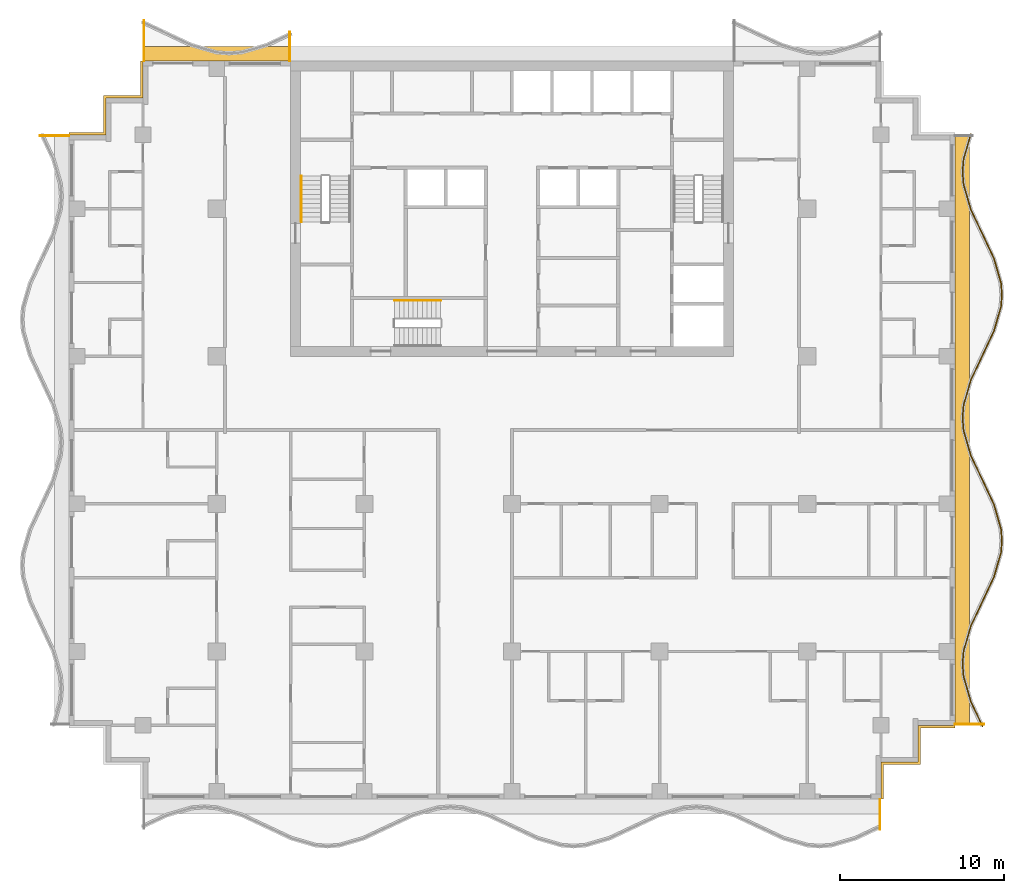
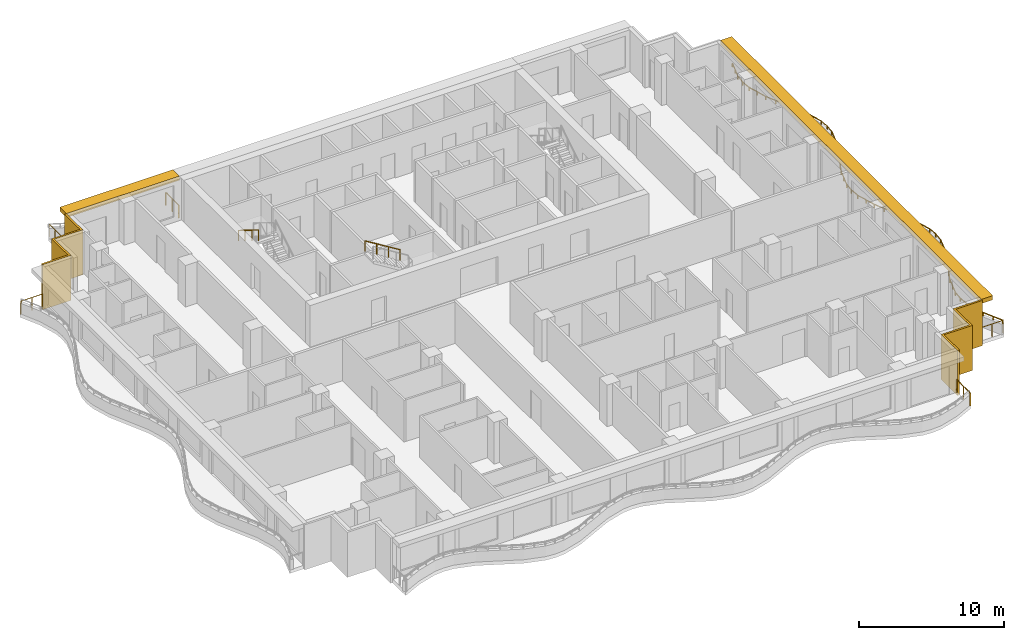
# One storey, part 10 of 11: 8 railings, 4 shading devices.
"""IFC4 building model written with IfcOpenShell, lengths in metres."""

from ifc_helpers import new_model, si_unit, direction, frame, origin, origin_2d, place, context, subcontext, project, spatial, polyline, rectangle, circle, outline, extrude, material, layer, layer_set, type_object, element, save


model = new_model("IFC4")

# Units and contexts
model_context = context("Model", 3, precision=1e-05, world=origin(), true_north=direction((0.0, 1.0)))
body_context = subcontext(model_context, "Body", "Model", "MODEL_VIEW")
ifc_project = project(units=[si_unit("LENGTHUNIT", "METRE"), si_unit("AREAUNIT", "SQUARE_METRE"), si_unit("VOLUMEUNIT", "CUBIC_METRE"), si_unit("PLANEANGLEUNIT", "RADIAN"), si_unit("MASSUNIT", "GRAM", prefix="KILO")], contexts=[model_context])

# Site, building, storey
site_placement = place(None, origin())
site = spatial("IfcSite", under=ifc_project, at=site_placement, CompositionType="ELEMENT")
building_placement = place(site_placement, origin())
building = spatial("IfcBuilding", under=site, at=building_placement, Name="Orbiselva Terraces", CompositionType="ELEMENT")
storey_placement = place(building_placement, frame((0.0, 0.0, 226.2)))
storey = spatial("IfcBuildingStorey", under=building, at=storey_placement, Name="L57", CompositionType="ELEMENT", Elevation=226.2)

# Railings
ifc_material_1 = material(Name="Stainless steel", Category="steel")
railing_type_1 = type_object("IfcRailingType", Name="CORE-HANDRAIL-900", PredefinedType="HANDRAIL", material=ifc_material_1)
railing_1_placement = place(storey_placement, frame((-12.85, 15.5, 2.072727)))
element("IfcRailing", 1, at=railing_1_placement, inside=storey, type_object=railing_type_1, Name="L57 S1 stair handrail 2", PredefinedType="HANDRAIL", context=body_context, shape_type="SweptSolid", body=[
    extrude(circle(Radius=0.024, at=origin_2d()), frame((0.0, 0.0, 0.876), z_axis=(0.0, -0.851088519012, 0.52502222125), x_axis=(1.0, 0.0, 0.0)), (0.0, 0.0, 1.0), 3.289905),
    extrude(circle(Radius=0.021, at=origin_2d()), origin(), (0.0, 0.0, 1.0), 0.852),
    extrude(circle(Radius=0.021, at=origin_2d()), frame((0.0, -0.933333, 0.575758)), (0.0, 0.0, 1.0), 0.852),
    extrude(circle(Radius=0.021, at=origin_2d()), frame((0.0, -1.866667, 1.151515)), (0.0, 0.0, 1.0), 0.852),
    extrude(circle(Radius=0.021, at=origin_2d()), frame((0.0, -2.8, 1.727273)), (0.0, 0.0, 1.0), 0.852),
])
railing_2_placement = place(storey_placement, frame((-4.35, 7.9, 2.072727)))
element("IfcRailing", 2, at=railing_2_placement, inside=storey, type_object=railing_type_1, Name="L57 S3 stair handrail 2", PredefinedType="HANDRAIL", context=body_context, shape_type="SweptSolid", body=[
    extrude(circle(Radius=0.024, at=origin_2d()), frame((0.0, 0.0, 0.876), z_axis=(-0.851088519012, 0.0, 0.52502222125), x_axis=(0.0, -1.0, 0.0)), (0.0, 0.0, 1.0), 3.289905),
    extrude(circle(Radius=0.021, at=origin_2d()), origin(), (0.0, 0.0, 1.0), 0.852),
    extrude(circle(Radius=0.021, at=origin_2d()), frame((-0.933333, 0.0, 0.575758)), (0.0, 0.0, 1.0), 0.852),
    extrude(circle(Radius=0.021, at=origin_2d()), frame((-1.866667, 0.0, 1.151515)), (0.0, 0.0, 1.0), 0.852),
    extrude(circle(Radius=0.021, at=origin_2d()), frame((-2.8, 0.0, 1.727273)), (0.0, 0.0, 1.0), 0.852),
])
ifc_material_2 = material(Name="Bonded two-ply safety glass balustrade, stainless steel posts", Category="steel")
railing_type_2 = type_object("IfcRailingType", Name="ENV-BALUSTRADE-1200", PredefinedType="BALUSTRADE", material=ifc_material_2)
railing_3_placement = place(storey_placement, frame((28.686882, -18.053191, 0.9)))
element("IfcRailing", 3, at=railing_3_placement, inside=storey, type_object=railing_type_2, Name="Balcony balustrade L57 E", PredefinedType="BALUSTRADE", context=body_context, shape_type="SweptSolid", body=[
    extrude(outline(polyline([(0.028868, 0.0), (0.014434, 0.025), (-0.014434, 0.025), (-0.028868, 0.0), (-0.014434, -0.025), (0.014434, -0.025), (0.028868, 0.0)])), frame((0.0, 0.0, 0.275), z_axis=(-0.425530342069, 0.904944157382, 0.0), x_axis=(-0.904944157382, -0.425530342069, 0.0)), (0.0, 0.0, 1.0), 1.667376),
    extrude(outline(polyline([(0.028868, 0.0), (0.014434, 0.025), (-0.014434, 0.025), (-0.028868, 0.0), (-0.014434, -0.025), (0.014434, -0.025), (0.028868, 0.0)])), frame((-0.709519, 1.508882, 0.275), z_axis=(-0.279070928786, 0.960270491427, 0.0), x_axis=(-0.960270491427, -0.279070928786, 0.0)), (0.0, 0.0, 1.0), 1.584712),
    extrude(outline(polyline([(0.028868, 0.0), (0.014434, 0.025), (-0.014434, 0.025), (-0.028868, 0.0), (-0.014434, -0.025), (0.014434, -0.025), (0.028868, 0.0)])), frame((-1.151766, 3.030634, 0.275), z_axis=(-0.078071061106, 0.996947796737, 0.0), x_axis=(-0.996947796737, -0.078071061106, 0.0)), (0.0, 0.0, 1.0), 0.774922),
    extrude(outline(polyline([(0.028868, 0.0), (0.014434, 0.025), (-0.014434, 0.025), (-0.028868, 0.0), (-0.014434, -0.025), (0.014434, -0.025), (0.028868, 0.0)])), frame((-1.212265, 3.803191, 0.275), z_axis=(0.078071061106, 0.996947796737, 0.0), x_axis=(-0.996947796737, 0.078071061106, 0.0)), (0.0, 0.0, 1.0), 0.774922),
    extrude(outline(polyline([(0.028868, 0.0), (0.014434, 0.025), (-0.014434, 0.025), (-0.028868, 0.0), (-0.014434, -0.025), (0.014434, -0.025), (0.028868, 0.0)])), frame((-1.151766, 4.575748, 0.275), z_axis=(0.279070928786, 0.960270491427, 0.0), x_axis=(-0.960270491427, 0.279070928786, 0.0)), (0.0, 0.0, 1.0), 1.584712),
    extrude(outline(polyline([(0.028868, 0.0), (0.014434, 0.025), (-0.014434, 0.025), (-0.028868, 0.0), (-0.014434, -0.025), (0.014434, -0.025), (0.028868, 0.0)])), frame((-0.709519, 6.0975, 0.275), z_axis=(0.425530342069, 0.904944157382, 0.0), x_axis=(-0.904944157382, 0.425530342069, 0.0)), (0.0, 0.0, 1.0), 1.667376),
    extrude(outline(polyline([(0.028868, 0.0), (0.014434, 0.025), (-0.014434, 0.025), (-0.028868, 0.0), (-0.014434, -0.025), (0.014434, -0.025), (0.028868, 0.0)])), frame((0.0, 7.606382, 0.275), z_axis=(0.425529912322, 0.904944359461, 0.0), x_axis=(-0.904944359461, 0.425529912322, 0.0)), (0.0, 0.0, 1.0), 1.647746),
    extrude(outline(polyline([(0.028868, 0.0), (0.014434, 0.025), (-0.014434, 0.025), (-0.028868, 0.0), (-0.014434, -0.025), (0.014434, -0.025), (0.028868, 0.0)])), frame((0.701165, 9.0975, 0.275), z_axis=(0.279071528957, 0.960270317007, 0.0), x_axis=(-0.960270317007, 0.279071528957, 0.0)), (0.0, 0.0, 1.0), 1.539408),
    extrude(outline(polyline([(0.028868, 0.0), (0.014434, 0.025), (-0.014434, 0.025), (-0.028868, 0.0), (-0.014434, -0.025), (0.014434, -0.025), (0.028868, 0.0)])), frame((1.13077, 10.575748, 0.275), z_axis=(0.078069536776, 0.996947916106, 0.0), x_axis=(-0.996947916106, 0.078069536776, 0.0)), (0.0, 0.0, 1.0), 0.72967),
    extrude(outline(polyline([(0.028868, 0.0), (0.014434, 0.025), (-0.014434, 0.025), (-0.028868, 0.0), (-0.014434, -0.025), (0.014434, -0.025), (0.028868, 0.0)])), frame((1.187735, 11.303191, 0.275), z_axis=(-0.078069536776, 0.996947916106, 0.0), x_axis=(-0.996947916106, -0.078069536776, 0.0)), (0.0, 0.0, 1.0), 0.72967),
    extrude(outline(polyline([(0.028868, 0.0), (0.014434, 0.025), (-0.014434, 0.025), (-0.028868, 0.0), (-0.014434, -0.025), (0.014434, -0.025), (0.028868, 0.0)])), frame((1.13077, 12.030634, 0.275), z_axis=(-0.279071528957, 0.960270317007, 0.0), x_axis=(-0.960270317007, -0.279071528957, 0.0)), (0.0, 0.0, 1.0), 1.539408),
    extrude(outline(polyline([(0.028868, 0.0), (0.014434, 0.025), (-0.014434, 0.025), (-0.028868, 0.0), (-0.014434, -0.025), (0.014434, -0.025), (0.028868, 0.0)])), frame((0.701165, 13.508882, 0.275), z_axis=(-0.425529912322, 0.904944359461, 0.0), x_axis=(-0.904944359461, -0.425529912322, 0.0)), (0.0, 0.0, 1.0), 1.647746),
    extrude(outline(polyline([(0.028868, 0.0), (0.014434, 0.025), (-0.014434, 0.025), (-0.028868, 0.0), (-0.014434, -0.025), (0.014434, -0.025), (0.028868, 0.0)])), frame((0.0, 15.0, 0.275), z_axis=(-0.425530342069, 0.904944157382, 0.0), x_axis=(-0.904944157382, -0.425530342069, 0.0)), (0.0, 0.0, 1.0), 1.667376),
    extrude(outline(polyline([(0.028868, 0.0), (0.014434, 0.025), (-0.014434, 0.025), (-0.028868, 0.0), (-0.014434, -0.025), (0.014434, -0.025), (0.028868, 0.0)])), frame((-0.709519, 16.508882, 0.275), z_axis=(-0.279070928786, 0.960270491427, 0.0), x_axis=(-0.960270491427, -0.279070928786, 0.0)), (0.0, 0.0, 1.0), 1.584712),
    extrude(outline(polyline([(0.028868, 0.0), (0.014434, 0.025), (-0.014434, 0.025), (-0.028868, 0.0), (-0.014434, -0.025), (0.014434, -0.025), (0.028868, 0.0)])), frame((-1.151766, 18.030634, 0.275), z_axis=(-0.078071061106, 0.996947796737, 0.0), x_axis=(-0.996947796737, -0.078071061106, 0.0)), (0.0, 0.0, 1.0), 0.774922),
    extrude(outline(polyline([(0.028868, 0.0), (0.014434, 0.025), (-0.014434, 0.025), (-0.028868, 0.0), (-0.014434, -0.025), (0.014434, -0.025), (0.028868, 0.0)])), frame((-1.212265, 18.803191, 0.275), z_axis=(0.078071061106, 0.996947796737, 0.0), x_axis=(-0.996947796737, 0.078071061106, 0.0)), (0.0, 0.0, 1.0), 0.774922),
    extrude(outline(polyline([(0.028868, 0.0), (0.014434, 0.025), (-0.014434, 0.025), (-0.028868, 0.0), (-0.014434, -0.025), (0.014434, -0.025), (0.028868, 0.0)])), frame((-1.151766, 19.575748, 0.275), z_axis=(0.279070928786, 0.960270491427, 0.0), x_axis=(-0.960270491427, 0.279070928786, 0.0)), (0.0, 0.0, 1.0), 1.584712),
    extrude(outline(polyline([(0.028868, 0.0), (0.014434, 0.025), (-0.014434, 0.025), (-0.028868, 0.0), (-0.014434, -0.025), (0.014434, -0.025), (0.028868, 0.0)])), frame((-0.709519, 21.0975, 0.275), z_axis=(0.425530342069, 0.904944157382, 0.0), x_axis=(-0.904944157382, 0.425530342069, 0.0)), (0.0, 0.0, 1.0), 1.667376),
    extrude(outline(polyline([(0.028868, 0.0), (0.014434, 0.025), (-0.014434, 0.025), (-0.028868, 0.0), (-0.014434, -0.025), (0.014434, -0.025), (0.028868, 0.0)])), frame((0.0, 22.606382, 0.275), z_axis=(0.425529912322, 0.904944359461, 0.0), x_axis=(-0.904944359461, 0.425529912322, 0.0)), (0.0, 0.0, 1.0), 1.647746),
    extrude(outline(polyline([(0.028868, 0.0), (0.014434, 0.025), (-0.014434, 0.025), (-0.028868, 0.0), (-0.014434, -0.025), (0.014434, -0.025), (0.028868, 0.0)])), frame((0.701165, 24.0975, 0.275), z_axis=(0.279071528957, 0.960270317007, 0.0), x_axis=(-0.960270317007, 0.279071528957, 0.0)), (0.0, 0.0, 1.0), 1.539408),
    extrude(outline(polyline([(0.028868, 0.0), (0.014434, 0.025), (-0.014434, 0.025), (-0.028868, 0.0), (-0.014434, -0.025), (0.014434, -0.025), (0.028868, 0.0)])), frame((1.13077, 25.575748, 0.275), z_axis=(0.078069536776, 0.996947916106, 0.0), x_axis=(-0.996947916106, 0.078069536776, 0.0)), (0.0, 0.0, 1.0), 0.72967),
    extrude(outline(polyline([(0.028868, 0.0), (0.014434, 0.025), (-0.014434, 0.025), (-0.028868, 0.0), (-0.014434, -0.025), (0.014434, -0.025), (0.028868, 0.0)])), frame((1.187735, 26.303191, 0.275), z_axis=(-0.078069536776, 0.996947916106, 0.0), x_axis=(-0.996947916106, -0.078069536776, 0.0)), (0.0, 0.0, 1.0), 0.72967),
    extrude(outline(polyline([(0.028868, 0.0), (0.014434, 0.025), (-0.014434, 0.025), (-0.028868, 0.0), (-0.014434, -0.025), (0.014434, -0.025), (0.028868, 0.0)])), frame((1.13077, 27.030634, 0.275), z_axis=(-0.279071528957, 0.960270317007, 0.0), x_axis=(-0.960270317007, -0.279071528957, 0.0)), (0.0, 0.0, 1.0), 1.539408),
    extrude(outline(polyline([(0.028868, 0.0), (0.014434, 0.025), (-0.014434, 0.025), (-0.028868, 0.0), (-0.014434, -0.025), (0.014434, -0.025), (0.028868, 0.0)])), frame((0.701165, 28.508882, 0.275), z_axis=(-0.425529912322, 0.904944359461, 0.0), x_axis=(-0.904944359461, -0.425529912322, 0.0)), (0.0, 0.0, 1.0), 1.647746),
    extrude(outline(polyline([(0.028868, 0.0), (0.014434, 0.025), (-0.014434, 0.025), (-0.028868, 0.0), (-0.014434, -0.025), (0.014434, -0.025), (0.028868, 0.0)])), frame((0.0, 30.0, 0.275), z_axis=(-0.425530342069, 0.904944157382, 0.0), x_axis=(-0.904944157382, -0.425530342069, 0.0)), (0.0, 0.0, 1.0), 1.667376),
    extrude(outline(polyline([(0.028868, 0.0), (0.014434, 0.025), (-0.014434, 0.025), (-0.028868, 0.0), (-0.014434, -0.025), (0.014434, -0.025), (0.028868, 0.0)])), frame((-0.709519, 31.508882, 0.275), z_axis=(-0.279070928786, 0.960270491427, 0.0), x_axis=(-0.960270491427, -0.279070928786, 0.0)), (0.0, 0.0, 1.0), 1.584712),
    extrude(outline(polyline([(0.028868, 0.0), (0.014434, 0.025), (-0.014434, 0.025), (-0.028868, 0.0), (-0.014434, -0.025), (0.014434, -0.025), (0.028868, 0.0)])), frame((-1.151766, 33.030634, 0.275), z_axis=(-0.078071061106, 0.996947796737, 0.0), x_axis=(-0.996947796737, -0.078071061106, 0.0)), (0.0, 0.0, 1.0), 0.774922),
    extrude(outline(polyline([(0.028868, 0.0), (0.014434, 0.025), (-0.014434, 0.025), (-0.028868, 0.0), (-0.014434, -0.025), (0.014434, -0.025), (0.028868, 0.0)])), frame((-1.212265, 33.803191, 0.275), z_axis=(0.078071061106, 0.996947796737, 0.0), x_axis=(-0.996947796737, 0.078071061106, 0.0)), (0.0, 0.0, 1.0), 0.774922),
    extrude(outline(polyline([(0.028868, 0.0), (0.014434, 0.025), (-0.014434, 0.025), (-0.028868, 0.0), (-0.014434, -0.025), (0.014434, -0.025), (0.028868, 0.0)])), frame((-1.151766, 34.575748, 0.275), z_axis=(0.279070966973, 0.96027048033, 0.0), x_axis=(-0.96027048033, 0.279070966973, 0.0)), (0.0, 0.0, 1.0), 1.574897),
    extrude(rectangle(XDim=0.05, YDim=0.05, at=origin_2d()), origin(), (0.0, 0.0, 1.0), 0.25),
    extrude(rectangle(XDim=0.05, YDim=0.05, at=origin_2d()), frame((-0.35476, 0.754441, 0.0)), (0.0, 0.0, 1.0), 0.25),
    extrude(rectangle(XDim=0.05, YDim=0.05, at=origin_2d()), frame((-0.709519, 1.508882, 0.0)), (0.0, 0.0, 1.0), 0.25),
    extrude(rectangle(XDim=0.05, YDim=0.05, at=origin_2d()), frame((-0.930643, 2.269758, 0.0)), (0.0, 0.0, 1.0), 0.25),
    extrude(rectangle(XDim=0.05, YDim=0.05, at=origin_2d()), frame((-1.151766, 3.030634, 0.0)), (0.0, 0.0, 1.0), 0.25),
    extrude(rectangle(XDim=0.05, YDim=0.05, at=origin_2d()), frame((-1.212265, 3.803191, 0.0)), (0.0, 0.0, 1.0), 0.25),
    extrude(rectangle(XDim=0.05, YDim=0.05, at=origin_2d()), frame((-1.151766, 4.575748, 0.0)), (0.0, 0.0, 1.0), 0.25),
    extrude(rectangle(XDim=0.05, YDim=0.05, at=origin_2d()), frame((-0.930643, 5.336624, 0.0)), (0.0, 0.0, 1.0), 0.25),
    extrude(rectangle(XDim=0.05, YDim=0.05, at=origin_2d()), frame((-0.709519, 6.0975, 0.0)), (0.0, 0.0, 1.0), 0.25),
    extrude(rectangle(XDim=0.05, YDim=0.05, at=origin_2d()), frame((-0.35476, 6.851941, 0.0)), (0.0, 0.0, 1.0), 0.25),
    extrude(rectangle(XDim=0.05, YDim=0.05, at=origin_2d()), frame((0.0, 7.606382, 0.0)), (0.0, 0.0, 1.0), 0.25),
    extrude(rectangle(XDim=0.05, YDim=0.05, at=origin_2d()), frame((0.350582, 8.351941, 0.0)), (0.0, 0.0, 1.0), 0.25),
    extrude(rectangle(XDim=0.05, YDim=0.05, at=origin_2d()), frame((0.701165, 9.0975, 0.0)), (0.0, 0.0, 1.0), 0.25),
    extrude(rectangle(XDim=0.05, YDim=0.05, at=origin_2d()), frame((0.915967, 9.836624, 0.0)), (0.0, 0.0, 1.0), 0.25),
    extrude(rectangle(XDim=0.05, YDim=0.05, at=origin_2d()), frame((1.13077, 10.575748, 0.0)), (0.0, 0.0, 1.0), 0.25),
    extrude(rectangle(XDim=0.05, YDim=0.05, at=origin_2d()), frame((1.187735, 11.303191, 0.0)), (0.0, 0.0, 1.0), 0.25),
    extrude(rectangle(XDim=0.05, YDim=0.05, at=origin_2d()), frame((1.13077, 12.030634, 0.0)), (0.0, 0.0, 1.0), 0.25),
    extrude(rectangle(XDim=0.05, YDim=0.05, at=origin_2d()), frame((0.915967, 12.769758, 0.0)), (0.0, 0.0, 1.0), 0.25),
    extrude(rectangle(XDim=0.05, YDim=0.05, at=origin_2d()), frame((0.701165, 13.508882, 0.0)), (0.0, 0.0, 1.0), 0.25),
    extrude(rectangle(XDim=0.05, YDim=0.05, at=origin_2d()), frame((0.350582, 14.254441, 0.0)), (0.0, 0.0, 1.0), 0.25),
    extrude(rectangle(XDim=0.05, YDim=0.05, at=origin_2d()), frame((0.0, 15.0, 0.0)), (0.0, 0.0, 1.0), 0.25),
    extrude(rectangle(XDim=0.05, YDim=0.05, at=origin_2d()), frame((-0.35476, 15.754441, 0.0)), (0.0, 0.0, 1.0), 0.25),
    extrude(rectangle(XDim=0.05, YDim=0.05, at=origin_2d()), frame((-0.709519, 16.508882, 0.0)), (0.0, 0.0, 1.0), 0.25),
    extrude(rectangle(XDim=0.05, YDim=0.05, at=origin_2d()), frame((-0.930643, 17.269758, 0.0)), (0.0, 0.0, 1.0), 0.25),
    extrude(rectangle(XDim=0.05, YDim=0.05, at=origin_2d()), frame((-1.151766, 18.030634, 0.0)), (0.0, 0.0, 1.0), 0.25),
    extrude(rectangle(XDim=0.05, YDim=0.05, at=origin_2d()), frame((-1.212265, 18.803191, 0.0)), (0.0, 0.0, 1.0), 0.25),
    extrude(rectangle(XDim=0.05, YDim=0.05, at=origin_2d()), frame((-1.151766, 19.575748, 0.0)), (0.0, 0.0, 1.0), 0.25),
    extrude(rectangle(XDim=0.05, YDim=0.05, at=origin_2d()), frame((-0.930643, 20.336624, 0.0)), (0.0, 0.0, 1.0), 0.25),
    extrude(rectangle(XDim=0.05, YDim=0.05, at=origin_2d()), frame((-0.709519, 21.0975, 0.0)), (0.0, 0.0, 1.0), 0.25),
    extrude(rectangle(XDim=0.05, YDim=0.05, at=origin_2d()), frame((-0.35476, 21.851941, 0.0)), (0.0, 0.0, 1.0), 0.25),
    extrude(rectangle(XDim=0.05, YDim=0.05, at=origin_2d()), frame((0.0, 22.606382, 0.0)), (0.0, 0.0, 1.0), 0.25),
    extrude(rectangle(XDim=0.05, YDim=0.05, at=origin_2d()), frame((0.350582, 23.351941, 0.0)), (0.0, 0.0, 1.0), 0.25),
    extrude(rectangle(XDim=0.05, YDim=0.05, at=origin_2d()), frame((0.701165, 24.0975, 0.0)), (0.0, 0.0, 1.0), 0.25),
    extrude(rectangle(XDim=0.05, YDim=0.05, at=origin_2d()), frame((0.915967, 24.836624, 0.0)), (0.0, 0.0, 1.0), 0.25),
    extrude(rectangle(XDim=0.05, YDim=0.05, at=origin_2d()), frame((1.13077, 25.575748, 0.0)), (0.0, 0.0, 1.0), 0.25),
    extrude(rectangle(XDim=0.05, YDim=0.05, at=origin_2d()), frame((1.187735, 26.303191, 0.0)), (0.0, 0.0, 1.0), 0.25),
    extrude(rectangle(XDim=0.05, YDim=0.05, at=origin_2d()), frame((1.13077, 27.030634, 0.0)), (0.0, 0.0, 1.0), 0.25),
    extrude(rectangle(XDim=0.05, YDim=0.05, at=origin_2d()), frame((0.915967, 27.769758, 0.0)), (0.0, 0.0, 1.0), 0.25),
    extrude(rectangle(XDim=0.05, YDim=0.05, at=origin_2d()), frame((0.701165, 28.508882, 0.0)), (0.0, 0.0, 1.0), 0.25),
    extrude(rectangle(XDim=0.05, YDim=0.05, at=origin_2d()), frame((0.350582, 29.254441, 0.0)), (0.0, 0.0, 1.0), 0.25),
    extrude(rectangle(XDim=0.05, YDim=0.05, at=origin_2d()), frame((0.0, 30.0, 0.0)), (0.0, 0.0, 1.0), 0.25),
    extrude(rectangle(XDim=0.05, YDim=0.05, at=origin_2d()), frame((-0.35476, 30.754441, 0.0)), (0.0, 0.0, 1.0), 0.25),
    extrude(rectangle(XDim=0.05, YDim=0.05, at=origin_2d()), frame((-0.709519, 31.508882, 0.0)), (0.0, 0.0, 1.0), 0.25),
    extrude(rectangle(XDim=0.05, YDim=0.05, at=origin_2d()), frame((-0.930643, 32.269758, 0.0)), (0.0, 0.0, 1.0), 0.25),
    extrude(rectangle(XDim=0.05, YDim=0.05, at=origin_2d()), frame((-1.151766, 33.030634, 0.0)), (0.0, 0.0, 1.0), 0.25),
    extrude(rectangle(XDim=0.05, YDim=0.05, at=origin_2d()), frame((-1.212265, 33.803191, 0.0)), (0.0, 0.0, 1.0), 0.25),
    extrude(rectangle(XDim=0.05, YDim=0.05, at=origin_2d()), frame((-1.151766, 34.575748, 0.0)), (0.0, 0.0, 1.0), 0.25),
    extrude(rectangle(XDim=0.05, YDim=0.05, at=origin_2d()), frame((-0.932012, 35.331912, 0.0)), (0.0, 0.0, 1.0), 0.25),
    extrude(rectangle(XDim=0.05, YDim=0.05, at=origin_2d()), frame((-0.712258, 36.088075, 0.0)), (0.0, 0.0, 1.0), 0.25),
])
ifc_material_3 = material(Name="Stainless steel rail and posts", Category="steel")
railing_type_3 = type_object("IfcRailingType", Name="ENV-GUARD-1105", PredefinedType="BALUSTRADE", material=ifc_material_3)
railing_4_placement = place(storey_placement, frame((22.44, -24.330156, 0.0)))
element("IfcRailing", 4, at=railing_4_placement, inside=storey, type_object=railing_type_3, Name="Balcony end guard L57 S", PredefinedType="BALUSTRADE", context=body_context, shape_type="SweptSolid", body=[
    extrude(outline(polyline([(0.028868, 0.0), (0.014434, 0.025), (-0.014434, 0.025), (-0.028868, 0.0), (-0.014434, -0.025), (0.014434, -0.025), (0.028868, 0.0)])), frame((0.0, 0.0, 1.08), z_axis=(0.0, 1.0, 0.0), x_axis=(-1.0, 0.0, 0.0)), (0.0, 0.0, 1.0), 1.805156),
    extrude(rectangle(XDim=0.05, YDim=0.05, at=origin_2d()), origin(), (0.0, 0.0, 1.0), 1.055),
    extrude(rectangle(XDim=0.05, YDim=0.05, at=origin_2d()), frame((0.0, 0.902578, 0.0)), (0.0, 0.0, 1.0), 1.055),
    extrude(rectangle(XDim=0.05, YDim=0.05, at=origin_2d()), frame((0.0, 1.805156, 0.0)), (0.0, 0.0, 1.0), 1.055),
])
railing_5_placement = place(storey_placement, frame((28.769844, -17.94, 0.0)))
element("IfcRailing", 5, at=railing_5_placement, inside=storey, type_object=railing_type_3, Name="Balcony end guard L57 E", PredefinedType="BALUSTRADE", context=body_context, shape_type="SweptSolid", body=[
    extrude(outline(polyline([(0.028868, 0.0), (0.014434, 0.025), (-0.014434, 0.025), (-0.028868, 0.0), (-0.014434, -0.025), (0.014434, -0.025), (0.028868, 0.0)])), frame((0.0, 0.0, 1.08), z_axis=(-1.0, 0.0, 0.0), x_axis=(0.0, -1.0, 0.0)), (0.0, 0.0, 1.0), 1.744844),
    extrude(rectangle(XDim=0.05, YDim=0.05, at=origin_2d()), origin(), (0.0, 0.0, 1.0), 1.055),
    extrude(rectangle(XDim=0.05, YDim=0.05, at=origin_2d()), frame((-0.872422, 0.0, 0.0)), (0.0, 0.0, 1.0), 1.055),
    extrude(rectangle(XDim=0.05, YDim=0.05, at=origin_2d()), frame((-1.744844, 0.0, 0.0)), (0.0, 0.0, 1.0), 1.055),
])
railing_6_placement = place(storey_placement, frame((-13.56, 24.269844, 0.0)))
element("IfcRailing", 6, at=railing_6_placement, inside=storey, type_object=railing_type_3, Name="Balcony end guard L57 NW", PredefinedType="BALUSTRADE", context=body_context, shape_type="SweptSolid", body=[
    extrude(outline(polyline([(0.028868, 0.0), (0.014434, 0.025), (-0.014434, 0.025), (-0.028868, 0.0), (-0.014434, -0.025), (0.014434, -0.025), (0.028868, 0.0)])), frame((0.0, 0.0, 1.08), z_axis=(0.0, -1.0, 0.0), x_axis=(1.0, 0.0, 0.0)), (0.0, 0.0, 1.0), 1.744844),
    extrude(rectangle(XDim=0.05, YDim=0.05, at=origin_2d()), origin(), (0.0, 0.0, 1.0), 1.055),
    extrude(rectangle(XDim=0.05, YDim=0.05, at=origin_2d()), frame((0.0, -0.872422, 0.0)), (0.0, 0.0, 1.0), 1.055),
    extrude(rectangle(XDim=0.05, YDim=0.05, at=origin_2d()), frame((0.0, -1.744844, 0.0)), (0.0, 0.0, 1.0), 1.055),
])
railing_7_placement = place(storey_placement, frame((-22.44, 24.980723, 0.0)))
element("IfcRailing", 7, at=railing_7_placement, inside=storey, type_object=railing_type_3, Name="Balcony end guard L57 NW", PredefinedType="BALUSTRADE", context=body_context, shape_type="SweptSolid", body=[
    extrude(outline(polyline([(0.028868, 0.0), (0.014434, 0.025), (-0.014434, 0.025), (-0.028868, 0.0), (-0.014434, -0.025), (0.014434, -0.025), (0.028868, 0.0)])), frame((0.0, 0.0, 1.08), z_axis=(0.0, -1.0, 0.0), x_axis=(1.0, 0.0, 0.0)), (0.0, 0.0, 1.0), 2.455723),
    extrude(rectangle(XDim=0.05, YDim=0.05, at=origin_2d()), origin(), (0.0, 0.0, 1.0), 1.055),
    extrude(rectangle(XDim=0.05, YDim=0.05, at=origin_2d()), frame((0.0, -0.818574, 0.0)), (0.0, 0.0, 1.0), 1.055),
    extrude(rectangle(XDim=0.05, YDim=0.05, at=origin_2d()), frame((0.0, -1.637149, 0.0)), (0.0, 0.0, 1.0), 1.055),
    extrude(rectangle(XDim=0.05, YDim=0.05, at=origin_2d()), frame((0.0, -2.455723, 0.0)), (0.0, 0.0, 1.0), 1.055),
])
railing_8_placement = place(storey_placement, frame((-28.769844, 17.94, 0.0)))
element("IfcRailing", 8, at=railing_8_placement, inside=storey, type_object=railing_type_3, Name="Balcony end guard L57 W", PredefinedType="BALUSTRADE", context=body_context, shape_type="SweptSolid", body=[
    extrude(outline(polyline([(0.028868, 0.0), (0.014434, 0.025), (-0.014434, 0.025), (-0.028868, 0.0), (-0.014434, -0.025), (0.014434, -0.025), (0.028868, 0.0)])), frame((0.0, 0.0, 1.08), z_axis=(1.0, 0.0, 0.0), x_axis=(0.0, 1.0, 0.0)), (0.0, 0.0, 1.0), 1.744844),
    extrude(rectangle(XDim=0.05, YDim=0.05, at=origin_2d()), origin(), (0.0, 0.0, 1.0), 1.055),
    extrude(rectangle(XDim=0.05, YDim=0.05, at=origin_2d()), frame((0.872422, 0.0, 0.0)), (0.0, 0.0, 1.0), 1.055),
    extrude(rectangle(XDim=0.05, YDim=0.05, at=origin_2d()), frame((1.744844, 0.0, 0.0)), (0.0, 0.0, 1.0), 1.055),
])

# Shading devices
ifc_material_4 = material(Name="Terracotta louvre screen", Category="masonry")
ifc_layer_1 = layer(ifc_material_4, 0.15)
ifc_layer_set_1 = layer_set([ifc_layer_1], Name="Terracotta louvre screen")
shading_device_type_1 = type_object("IfcShadingDeviceType", Name="ENV-SCREEN-150", PredefinedType="USERDEFINED", material=ifc_layer_set_1)
shading_device_1_placement = place(storey_placement, frame((0.0, 0.0, -0.3)))
element("IfcShadingDevice", 9, at=shading_device_1_placement, inside=storey, type_object=shading_device_type_1, Name="Louvre screen L57 NW", ObjectType="SCREEN", PredefinedType="USERDEFINED", context=body_context, shape_type="SweptSolid", body=[
    extrude(outline(polyline([(-22.65, 22.5), (-22.65, 20.4), (-24.9, 20.4), (-24.9, 18.15), (-27.0, 18.15), (-27.0, 18.0), (-24.75, 18.0), (-24.75, 20.25), (-22.5, 20.25), (-22.5, 22.5), (-22.65, 22.5)])), origin(), (0.0, 0.0, 1.0), 3.8),
])
shading_device_2_placement = place(storey_placement, frame((0.0, 0.0, -0.3)))
element("IfcShadingDevice", 10, at=shading_device_2_placement, inside=storey, type_object=shading_device_type_1, Name="Louvre screen L57 SE", ObjectType="SCREEN", PredefinedType="USERDEFINED", context=body_context, shape_type="SweptSolid", body=[
    extrude(outline(polyline([(22.65, -22.5), (22.65, -20.4), (24.9, -20.4), (24.9, -18.15), (27.0, -18.15), (27.0, -18.0), (24.75, -18.0), (24.75, -20.25), (22.5, -20.25), (22.5, -22.5), (22.65, -22.5)])), origin(), (0.0, 0.0, 1.0), 3.8),
])
ifc_material_5 = material(Name="Terracotta baguette sunshade", Category="masonry")
ifc_layer_2 = layer(ifc_material_5, 0.35)
ifc_layer_set_2 = layer_set([ifc_layer_2], Name="Terracotta baguette sunshade")
shading_device_type_2 = type_object("IfcShadingDeviceType", Name="ENV-SUNSHADE-900x350", PredefinedType="USERDEFINED", material=ifc_layer_set_2)
shading_device_3_placement = place(storey_placement, frame((0.0, 0.0, 3.15)))
element("IfcShadingDevice", 11, at=shading_device_3_placement, inside=storey, type_object=shading_device_type_2, Name="Sunshade band L57 E", ObjectType="SUNSHADE", PredefinedType="USERDEFINED", context=body_context, shape_type="SweptSolid", body=[
    extrude(outline(polyline([(27.9, -18.0), (27.9, 18.0), (27.0, 18.0), (27.0, -18.0), (27.9, -18.0)])), origin(), (0.0, 0.0, 1.0), 0.35),
])
shading_device_4_placement = place(storey_placement, frame((0.0, 0.0, 3.15)))
element("IfcShadingDevice", 12, at=shading_device_4_placement, inside=storey, type_object=shading_device_type_2, Name="Sunshade band L57 NW", ObjectType="SUNSHADE", PredefinedType="USERDEFINED", context=body_context, shape_type="SweptSolid", body=[
    extrude(outline(polyline([(-13.5, 23.4), (-22.5, 23.4), (-22.5, 22.5), (-13.5, 22.5), (-13.5, 23.4)])), origin(), (0.0, 0.0, 1.0), 0.35),
])

save(model, "model.ifc")
